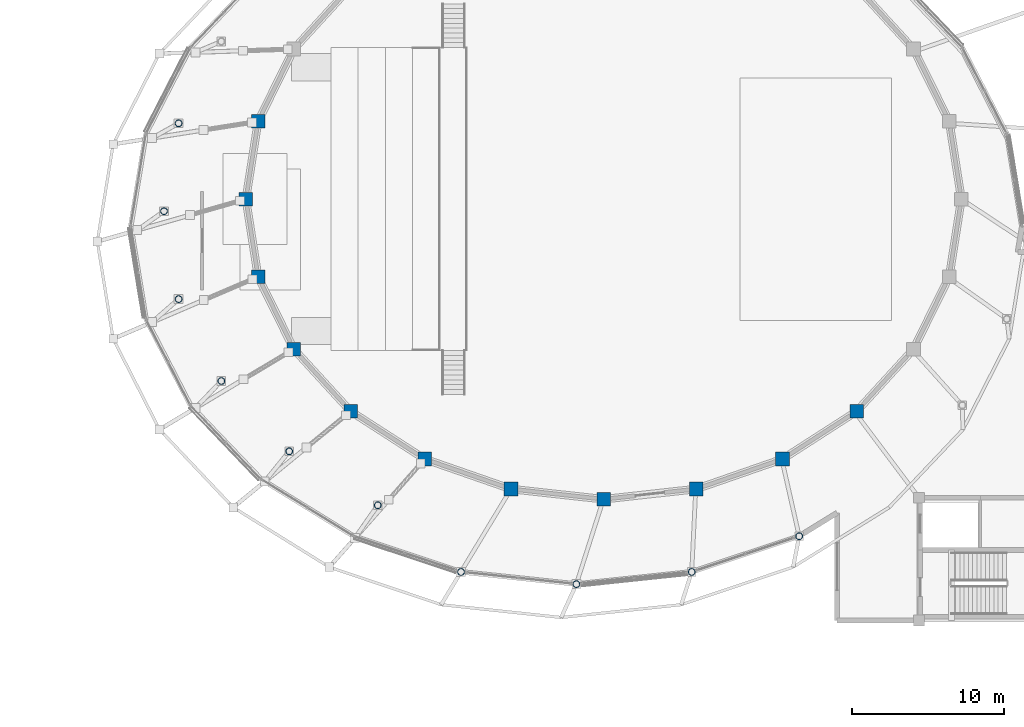
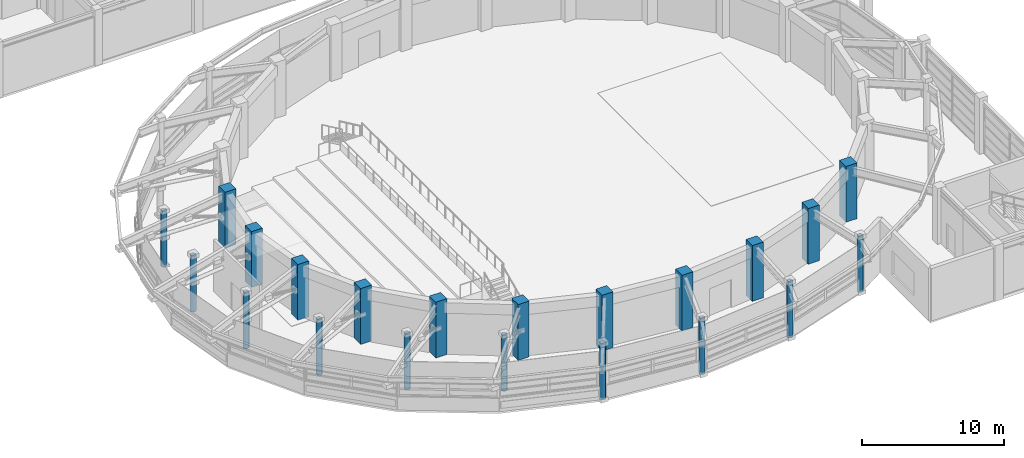
# One storey, part 1 of 56: 21 columns.
"""IFC4 building model written with IfcOpenShell, lengths in metres."""

from ifc_helpers import new_model, si_unit, direction, frame, origin, origin_2d, place, context, subcontext, project, spatial, rectangle, hollow_circle, extrude, material, material_profile, profile_set, type_object, element, save


model = new_model("IFC4")

# Units and contexts
model_context = context("Model", 3, precision=1e-05, world=origin(), true_north=direction((0.0, 1.0)))
body_context = subcontext(model_context, "Body", "Model", "MODEL_VIEW")
ifc_project = project(units=[si_unit("LENGTHUNIT", "METRE"), si_unit("AREAUNIT", "SQUARE_METRE"), si_unit("VOLUMEUNIT", "CUBIC_METRE"), si_unit("PLANEANGLEUNIT", "RADIAN"), si_unit("MASSUNIT", "GRAM", prefix="KILO")], contexts=[model_context])

# Site, building, storey
site_placement = place(None, origin())
site = spatial("IfcSite", under=ifc_project, at=site_placement, CompositionType="ELEMENT")
building_placement = place(site_placement, origin())
building = spatial("IfcBuilding", under=site, at=building_placement, Name="Parian Resonance Hall", CompositionType="ELEMENT")
storey_placement = place(building_placement, frame((0.0, 0.0, 5.39990234375)))
storey = spatial("IfcBuildingStorey", under=building, at=storey_placement, Name="L01", CompositionType="ELEMENT", Elevation=5.39990234375)

# Columns
ifc_material_1 = material(Name="Hollow structural steel S355", Category="steel")
ifc_material_profile_1 = material_profile(ifc_material_1, hollow_circle(Radius=0.228515625, WallThickness=0.02001953125, at=origin_2d()), Name="CHS457x20")
ifc_profile_set_1 = profile_set([ifc_material_profile_1], Name="Hollow structural steel S355")
column_type_1 = type_object("IfcColumnType", Name="COL-CHS457", PredefinedType="COLUMN", material=ifc_profile_set_1)
for number, where, z_axis, x_axis, name in (
    (1, (15.9609375, 48.99755859375, 0.0), (0.0, 0.0, 1.0), (1.0, 0.0, 0.0), "Column RNG-12 L01"),
    (2, (15.0, 43.199951171875, 0.0), (0.0, 0.0, 1.0), (1.0, 0.0, 0.0), "Column RNG-13 L01"),
    (3, (15.9609375, 37.402587890625, 0.0), (0.0, 0.0, 1.0), (1.0, 0.0, 0.0), "Column RNG-14 L01"),
    (4, (18.778076171875, 32.0, 0.0), (0.0, 0.0, 1.0), (1.0, 0.0, 0.0), "Column RNG-15 L01"),
    (5, (23.259521484375, 27.36083984375, 0.0), (0.0, 0.0, 1.0), (1.0, 0.0, 0.0), "Column RNG-16 L01"),
    (6, (29.10009765625, 23.801025390625, 0.0), (0.0, 0.0, 1.0), (1.0, 0.0, 0.0), "Column RNG-17 L01"),
    (7, (34.5908203125, 19.404296875, 0.0), (0.0, 0.0, 1.0), (1.0, 0.0, 0.0), "Column RNG-18 L01"),
    (8, (42.199951171875, 18.60009765625, 0.0), (0.0, 0.0, 1.0), (1.0, 0.0, 0.0), "Column RNG-19 L01"),
    (9, (49.809326171875, 19.404296875, 0.0), (0.0, 0.0, 1.0), (1.0, 0.0, 0.0), "Column RNG-20 L01"),
    (10, (56.89990234375, 21.76171875, 0.0), (0.0, 0.0, 1.0), (1.0, 0.0, 0.0), "Column RNG-21 L01"),
):
    element("IfcColumn", number, at=place(storey_placement, frame(where, z_axis=z_axis, x_axis=x_axis)), inside=storey, type_object=column_type_1, Name=name, PredefinedType="COLUMN", context=body_context, shape_type="SweptSolid", body=[
        extrude(hollow_circle(Radius=0.228515625, WallThickness=0.02001953125, at=origin_2d()), origin(), (0.0, 0.0, 1.0), 4.800048828125),
    ])
ifc_material_2 = material(Name="Concrete C40/50", Category="concrete")
ifc_material_profile_2 = material_profile(ifc_material_2, rectangle(XDim=0.89990234375, YDim=0.89990234375, at=origin_2d()), Name="RC-COL-900x900")
ifc_profile_set_2 = profile_set([ifc_material_profile_2], Name="Concrete C40/50")
column_type_2 = type_object("IfcColumnType", Name="COL-RC900", PredefinedType="COLUMN", material=ifc_profile_set_2)
for number, where, z_axis, x_axis, name in (
    (11, (21.2041015625, 49.12451171875, 0.0), (0.0, 0.0, 1.0), (1.0, 0.0, 0.0), "Column DRM-12 L01"),
    (12, (20.39990234375, 44.0, 0.0), (0.0, 0.0, 1.0), (1.0, 0.0, 0.0), "Column DRM-13 L01"),
    (13, (21.2041015625, 38.87548828125, 0.0), (0.0, 0.0, 1.0), (1.0, 0.0, 0.0), "Column DRM-14 L01"),
    (14, (23.561767578125, 34.10009765625, 0.0), (0.0, 0.0, 1.0), (1.0, 0.0, 0.0), "Column DRM-15 L01"),
    (15, (27.312255859375, 29.999267578125, 0.0), (0.0, 0.0, 1.0), (1.0, 0.0, 0.0), "Column DRM-16 L01"),
    (16, (32.199951171875, 26.852783203125, 0.0), (0.0, 0.0, 1.0), (1.0, 0.0, 0.0), "Column DRM-17 L01"),
    (17, (37.891845703125, 24.874755859375, 0.0), (0.0, 0.0, 1.0), (1.0, 0.0, 0.0), "Column DRM-18 L01"),
    (18, (44.0, 24.199951171875, 0.0), (0.0, 0.0, 1.0), (1.0, 0.0, 0.0), "Column DRM-19 L01"),
    (19, (50.108154296875, 24.874755859375, 0.0), (0.0, 0.0, 1.0), (1.0, 0.0, 0.0), "Column DRM-20 L01"),
    (20, (55.800048828125, 26.852783203125, 0.0), (0.0, 0.0, 1.0), (1.0, 0.0, 0.0), "Column DRM-21 L01"),
    (21, (60.687744140625, 29.999267578125, 0.0), (0.0, 0.0, 1.0), (1.0, 0.0, 0.0), "Column DRM-22 L01"),
):
    element("IfcColumn", number, at=place(storey_placement, frame(where, z_axis=z_axis, x_axis=x_axis)), inside=storey, type_object=column_type_2, Name=name, PredefinedType="COLUMN", context=body_context, shape_type="SweptSolid", body=[
        extrude(rectangle(XDim=0.89990234375, YDim=0.89990234375, at=origin_2d()), origin(), (0.0, 0.0, 1.0), 4.800048828125),
    ])

save(model, "model.ifc")
